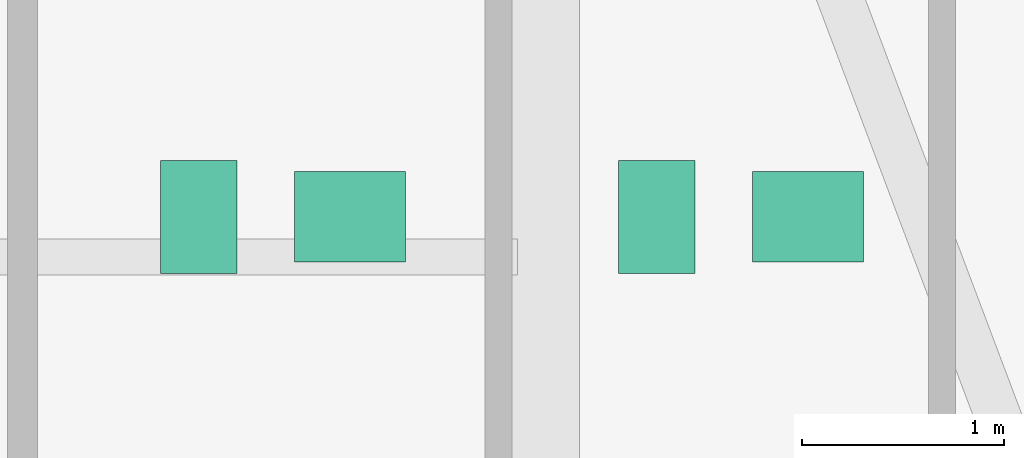
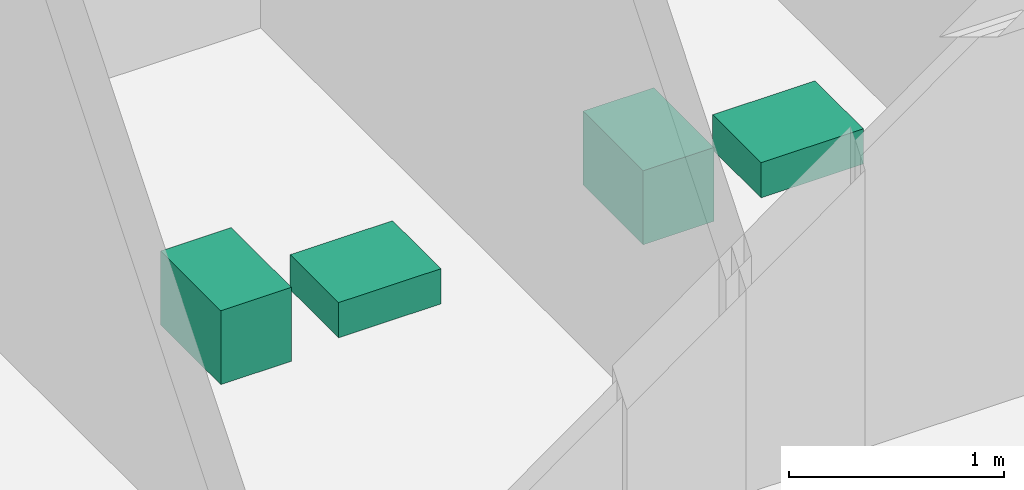
# One storey, part 23 of 23: 4 sanitary terminals.
"""IFC4 building model written with IfcOpenShell, lengths in metres."""

import ifcopenshell
import ifcopenshell.guid

model = None  # the IFC model being written
_history = None  # IfcOwnerHistory: only IFC2X3 demands one
_inside = {}  # id of a spatial element -> (the spatial element, [elements in it])
_under = {}  # id of a project, library or spatial element -> (it, [spatial elements below it])
_declared = {}  # id of a project -> (the project, [libraries it declares])
_typed = {}  # id of a type object -> (the type object, [elements of that type])
_made_of = {}  # id of a material, layer set ... -> (it, [elements and type objects made of it])


def new_model(schema):
    """Start an empty IFC model of exactly this schema.

    Asked for "IFC4X3", IfcOpenShell would pick the latest addendum, in which some entities
    have other attributes; the version numbers below select the first issue.
    IFC2X3 requires an IfcOwnerHistory on every rooted entity: one is made here for all.
    """
    global model, _history
    if schema == "IFC4X3":
        model = ifcopenshell.file(schema_version=(4, 3, 0, 0))
    else:
        model = ifcopenshell.file(schema=schema)
    _inside.clear()
    _under.clear()
    _declared.clear()
    _typed.clear()
    _made_of.clear()
    _history = None
    if model.schema == "IFC2X3":
        org = make("IfcOrganization", Name="unknown")
        user = make(
            "IfcPersonAndOrganization",
            ThePerson=make("IfcPerson", FamilyName="unknown"),
            TheOrganization=org,
        )
        app = make(
            "IfcApplication",
            ApplicationDeveloper=org,
            Version="unknown",
            ApplicationFullName="unknown",
            ApplicationIdentifier="unknown",
        )
        _history = make(
            "IfcOwnerHistory",
            OwningUser=user,
            OwningApplication=app,
            ChangeAction="ADDED",
            CreationDate=0,
        )
    return model


def make(cls, **values):
    """One entity of the class cls with the attributes given. An attribute that is None is left unset."""
    return model.create_entity(
        cls, **{name: value for name, value in values.items() if value is not None}
    )


def rooted(cls, **values):
    """An entity with a GlobalId (a new one), such as an element, a storey or a relation."""
    return make(cls, GlobalId=ifcopenshell.guid.new(), OwnerHistory=_history, **values)


def si_unit(unit_type, name, prefix=None):
    """IfcSIUnit, for example si_unit("LENGTHUNIT", "METRE", prefix="MILLI")."""
    return make("IfcSIUnit", UnitType=unit_type, Prefix=prefix, Name=name)


def assignment(units):
    """IfcUnitAssignment: the units of a project."""
    return None if units is None else make("IfcUnitAssignment", Units=units)


def point(xyz):
    """IfcCartesianPoint."""
    return None if xyz is None else make("IfcCartesianPoint", Coordinates=xyz)


def direction(xyz):
    """IfcDirection."""
    return None if xyz is None else make("IfcDirection", DirectionRatios=xyz)


def frame(location, z_axis=None, x_axis=None):
    """IfcAxis2Placement3D, a coordinate frame: its origin and axes. An axis left out is left unset."""
    return make(
        "IfcAxis2Placement3D",
        Location=point(location),
        Axis=direction(z_axis),
        RefDirection=direction(x_axis),
    )


def frame_2d(location, x_axis=None):
    """IfcAxis2Placement2D, a coordinate frame in the plane: its origin and x axis."""
    return make(
        "IfcAxis2Placement2D", Location=point(location), RefDirection=direction(x_axis)
    )


def origin():
    """The frame at (0, 0, 0) with its axes left unset."""
    return frame((0.0, 0.0, 0.0))


def origin_2d():
    """The frame at (0, 0) in the plane with its x axis left unset."""
    return frame_2d((0.0, 0.0))


def place(relative_to, where):
    """IfcLocalPlacement: puts the frame where relative to a parent placement (None: the world)."""
    return make(
        "IfcLocalPlacement", PlacementRelTo=relative_to, RelativePlacement=where
    )


def context(
    kind, dimensions, precision=None, world=None, true_north=None, identifier=None
):
    """IfcGeometricRepresentationContext, for example the 3D "Model" context."""
    return make(
        "IfcGeometricRepresentationContext",
        ContextIdentifier=identifier,
        ContextType=kind,
        CoordinateSpaceDimension=dimensions,
        Precision=precision,
        WorldCoordinateSystem=world,
        TrueNorth=true_north,
    )


def subcontext(parent, identifier, kind, view, scale=None):
    """IfcGeometricRepresentationSubContext, for example "Body" below "Model"."""
    return make(
        "IfcGeometricRepresentationSubContext",
        ContextIdentifier=identifier,
        ContextType=kind,
        ParentContext=parent,
        TargetScale=scale,
        TargetView=view,
    )


def project(units=None, contexts=None):
    """IfcProject with its units and contexts."""
    return rooted(
        "IfcProject",
        Name="project",
        RepresentationContexts=contexts,
        UnitsInContext=assignment(units),
    )


def spatial(cls, under=None, at=None, **own):
    """A site, building, storey or space (cls), placed at a placement, below another one or the project."""
    s = rooted(cls, ObjectPlacement=at, **own)
    if under is not None:
        _under.setdefault(under.id(), (under, []))[1].append(s)
    return s


def profile(cls, at=None, kind="AREA", **sizes):
    """A parametric profile (cls). Its sizes go by their IFC names, for example OverallWidth=200.0."""
    return make(cls, ProfileType=kind, Position=at, **sizes)


def rectangle(**sizes):
    """IfcRectangleProfileDef."""
    return profile("IfcRectangleProfileDef", **sizes)


def extrude(swept, where, along, depth):
    """IfcExtrudedAreaSolid: the profile swept, set in the frame where, extruded along a direction by depth."""
    return make(
        "IfcExtrudedAreaSolid",
        SweptArea=swept,
        Position=where,
        ExtrudedDirection=direction(along),
        Depth=depth,
    )


def shape(context_of_items, identifier, shape_type, items):
    """IfcShapeRepresentation: the items that make up one representation, for example the "Body"."""
    return make(
        "IfcShapeRepresentation",
        ContextOfItems=context_of_items,
        RepresentationIdentifier=identifier,
        RepresentationType=shape_type,
        Items=items,
    )


def material(Name=None, Category=None):
    """IfcMaterial."""
    return make("IfcMaterial", Name=Name, Category=Category)


def made_of(thing, what):
    """Note that an element or type object is made of a material, layer set ...; save() writes the relation."""
    if what is not None:
        _made_of.setdefault(what.id(), (what, []))[1].append(thing)
    return thing


def type_object(cls, material=None, **own):
    """A type object (cls), such as IfcWallType, which elements share."""
    return made_of(rooted(cls, **own), material)


def element(
    cls,
    number,
    at=None,
    inside=None,
    cuts=None,
    type_object=None,
    material=None,
    context=None,
    identifier="Body",
    shape_type=None,
    held_by="IfcProductDefinitionShape",
    body=None,
    shapes=None,
    **own,
):
    """One element of the class cls, such as IfcWall. Its Tag is "e" and its number.

    at: its placement. inside: the storey or other place that contains it. cuts: it is an
    opening in that element (IfcRelVoidsElement). A single representation is given by context,
    identifier, shape_type and body (its items); several are given by shapes. held_by: the class
    of the entity that holds the representations. save() writes the other relations.
    """
    e = rooted(cls, Tag="e%d" % number, ObjectPlacement=at, **own)
    if body is not None:
        shapes = [shape(context, identifier, shape_type, body)]
    if shapes is not None:
        e.Representation = make(held_by, Representations=shapes)
    if inside is not None:
        _inside.setdefault(inside.id(), (inside, []))[1].append(e)
    if cuts is not None:
        rooted(
            "IfcRelVoidsElement", RelatingBuildingElement=cuts, RelatedOpeningElement=e
        )
    if type_object is not None:
        _typed.setdefault(type_object.id(), (type_object, []))[1].append(e)
    return made_of(e, material)


def aggregate(whole, parts):
    """IfcRelAggregates: a whole, such as a stair, and the parts it consists of."""
    return rooted("IfcRelAggregates", RelatingObject=whole, RelatedObjects=parts)


def save(model, path):
    """Write the relations noted so far, then the file.

    IfcRelAggregates (storeys below a building ...), IfcRelContainedInSpatialStructure (elements
    in a storey), IfcRelDefinesByType, IfcRelAssociatesMaterial and IfcRelDeclares: one each for
    every whole, place, type object, material and project.
    """
    for whole, parts in _under.values():
        aggregate(whole, parts)
    for where, things in _inside.values():
        rooted(
            "IfcRelContainedInSpatialStructure",
            RelatedElements=things,
            RelatingStructure=where,
        )
    for kind, things in _typed.values():
        rooted("IfcRelDefinesByType", RelatedObjects=things, RelatingType=kind)
    for what, things in _made_of.values():
        rooted("IfcRelAssociatesMaterial", RelatedObjects=things, RelatingMaterial=what)
    for by, libraries in _declared.values():
        rooted("IfcRelDeclares", RelatingContext=by, RelatedDefinitions=libraries)
    model.write(path)


model = new_model("IFC4")

# Units and contexts
model_context = context("Model", 3, precision=1e-05, world=origin(), true_north=direction((0.0, 1.0)))
body_context = subcontext(model_context, "Body", "Model", "MODEL_VIEW")
ifc_project = project(units=[si_unit("LENGTHUNIT", "METRE"), si_unit("AREAUNIT", "SQUARE_METRE"), si_unit("VOLUMEUNIT", "CUBIC_METRE"), si_unit("PLANEANGLEUNIT", "RADIAN"), si_unit("MASSUNIT", "GRAM", prefix="KILO")], contexts=[model_context])

# Site, building, storey
site_placement = place(None, origin())
site = spatial("IfcSite", under=ifc_project, at=site_placement, CompositionType="ELEMENT")
building_placement = place(site_placement, origin())
building = spatial("IfcBuilding", under=site, at=building_placement, Name="Zuhayl Quay Hotel", CompositionType="ELEMENT")
storey_placement = place(building_placement, frame((0.0, 0.0, 288.449951171875)))
storey = spatial("IfcBuildingStorey", under=building, at=storey_placement, Name="L73", CompositionType="ELEMENT", Elevation=288.449951171875)

# Sanitary terminals
ifc_material = material(Name="Vitreous Porcelain Sanitaryware")
sanitary_terminal_type_1 = type_object("IfcSanitaryTerminalType", Name="SAN_BASIN", PredefinedType="WASHHANDBASIN", material=ifc_material)
for number, where, z_axis, x_axis, name in (
    (1, (12.864990234375, 33.300048828125, 0.0), (0.0, 0.0, 1.0), (1.0, 0.0, 0.0), "L73 Sanitary Fixture WASHHANDBASIN"),
    (2, (15.135009765625, 33.300048828125, 0.0), (0.0, 0.0, 1.0), (1.0, 0.0, 0.0), "L73 Sanitary Fixture WASHHANDBASIN"),
):
    element("IfcSanitaryTerminal", number, at=place(storey_placement, frame(where, z_axis=z_axis, x_axis=x_axis)), inside=storey, type_object=sanitary_terminal_type_1, Name=name, PredefinedType="WASHHANDBASIN", context=body_context, shape_type="SweptSolid", body=[
        extrude(rectangle(XDim=0.550048828125, YDim=0.449951171875, at=origin_2d()), origin(), (0.0, 0.0, 1.0), 0.199951171875),
    ])
sanitary_terminal_type_2 = type_object("IfcSanitaryTerminalType", Name="SAN_WC", PredefinedType="TOILETPAN", material=ifc_material)
for number, where, z_axis, x_axis, name in (
    (3, (12.114990234375, 33.300048828125, 0.0), (0.0, 0.0, 1.0), (1.0, 0.0, 0.0), "L73 Sanitary Fixture TOILETPAN"),
    (4, (14.385009765625, 33.300048828125, 0.0), (0.0, 0.0, 1.0), (1.0, 0.0, 0.0), "L73 Sanitary Fixture TOILETPAN"),
):
    element("IfcSanitaryTerminal", number, at=place(storey_placement, frame(where, z_axis=z_axis, x_axis=x_axis)), inside=storey, type_object=sanitary_terminal_type_2, Name=name, PredefinedType="TOILETPAN", context=body_context, shape_type="SweptSolid", body=[
        extrude(rectangle(XDim=0.3798828125, YDim=0.56005859375, at=origin_2d()), origin(), (0.0, 0.0, 1.0), 0.419921875),
    ])

save(model, "model.ifc")
